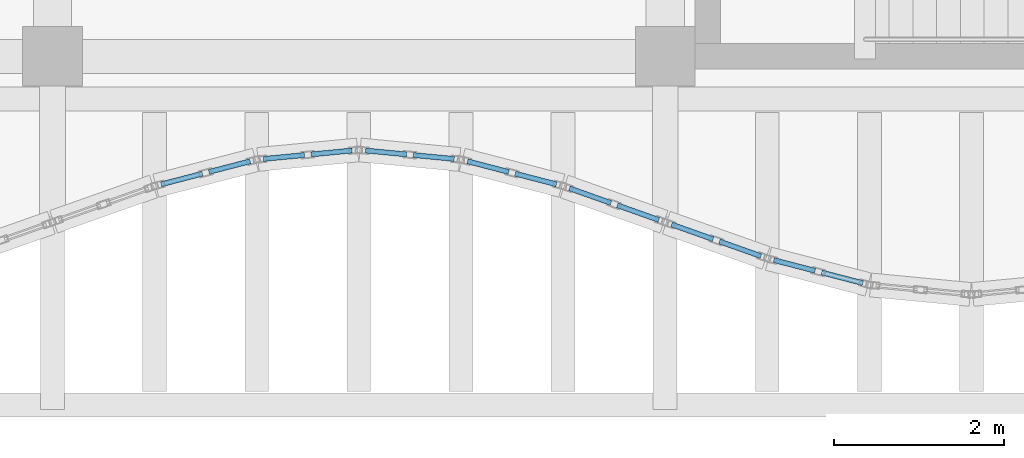
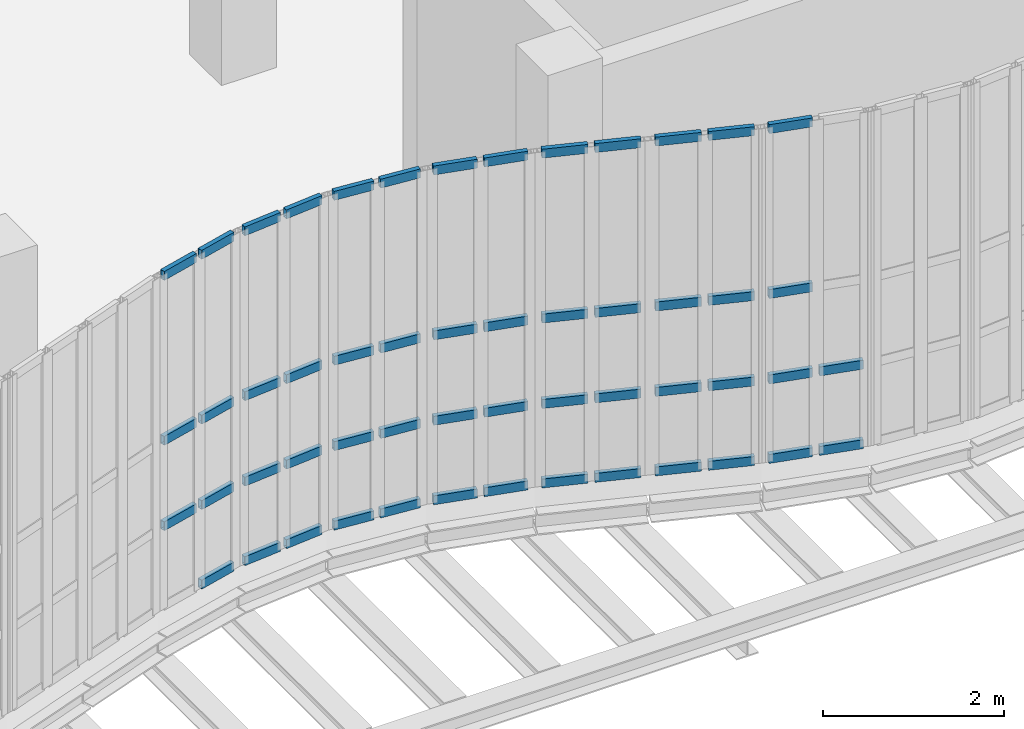
# One storey, part 49 of 108: 53 members, 7 elements without a shape of their own.
"""IFC4 building model written with IfcOpenShell, lengths in metres."""

from ifc_helpers import new_model, si_unit, direction, frame, origin, origin_2d, place, context, subcontext, project, spatial, hollow_rectangle, extrude, material, layer, layer_set, material_profile, profile_set, type_object, element, aggregate, save


model = new_model("IFC4")

# Units and contexts
model_context = context("Model", 3, precision=1e-05, world=origin(), true_north=direction((0.0, 1.0)))
body_context = subcontext(model_context, "Body", "Model", "MODEL_VIEW")
ifc_project = project(units=[si_unit("LENGTHUNIT", "METRE"), si_unit("AREAUNIT", "SQUARE_METRE"), si_unit("VOLUMEUNIT", "CUBIC_METRE"), si_unit("PLANEANGLEUNIT", "RADIAN"), si_unit("MASSUNIT", "GRAM", prefix="KILO"), si_unit("THERMODYNAMICTEMPERATUREUNIT", "KELVIN"), si_unit("POWERUNIT", "WATT")], contexts=[model_context])

# Site, building, storey
site_placement = place(None, origin())
site = spatial("IfcSite", under=ifc_project, at=site_placement, CompositionType="ELEMENT")
building_placement = place(site_placement, origin())
building = spatial("IfcBuilding", under=site, at=building_placement, Name="Kaldorven Railside Theatre", CompositionType="ELEMENT")
storey_placement = place(building_placement, frame((0.0, 0.0, 5.39990234375)))
storey = spatial("IfcBuildingStorey", under=building, at=storey_placement, Name="L01", CompositionType="ELEMENT", Elevation=5.39990234375)

# Curtain wall, members
ifc_material_1 = material(Name="Low-E laminated solar-control glass", Category="glass")
ifc_layer_1 = layer(ifc_material_1, 0.159912109375, Name="Low-E laminated solar-control glass")
ifc_layer_set_1 = layer_set([ifc_layer_1], Name="Low-E laminated solar-control glass")
curtain_wall_type_1 = type_object("IfcCurtainWallType", Name="CWT-02", PredefinedType="USERDEFINED", material=ifc_layer_set_1)
curtain_wall_1_placement = place(storey_placement, origin())
curtain_wall_1 = element("IfcCurtainWall", 1, at=curtain_wall_1_placement, inside=storey, type_object=curtain_wall_type_1, Name="Sinusoidal Fluted Curtain Wall CW-L01-S14", ObjectType="FLUTED GLAZING", PredefinedType="USERDEFINED")
ifc_material_2 = material(Name="Anodised bronze aluminium", Category="aluminium")
ifc_material_profile = material_profile(ifc_material_2, hollow_rectangle(XDim=0.06005859375, YDim=0.1201171875, WallThickness=0.0048828125, at=origin_2d()), Name="RHS 120x60x5")
ifc_profile_set = profile_set([ifc_material_profile], Name="Anodised bronze aluminium")
member_type = type_object("IfcMemberType", Name="CWT-120", PredefinedType="USERDEFINED", material=ifc_profile_set)
member_1_placement = place(storey_placement, frame((52.4775390625, 17.695068359375, 1.10009765625), z_axis=(0.967948521016, 0.251148682384, 0.0), x_axis=(-0.251148682384, 0.967948521016, 0.0)))
member_1 = element("IfcMember", 2, at=member_1_placement, type_object=member_type, Name="CW-L01-S14 transom 1.2", ObjectType="TRANSOM", PredefinedType="USERDEFINED", context=body_context, shape_type="SweptSolid", body=[
    extrude(hollow_rectangle(XDim=0.06005859375, YDim=0.1201171875, WallThickness=0.0048828125, at=origin_2d()), origin(), (0.0, 0.0, 1.0), 0.499755859375),
])
member_2_placement = place(storey_placement, frame((52.4775390625, 17.695068359375, 2.25), z_axis=(0.967948521016, 0.251148682384, 0.0), x_axis=(-0.251148682384, 0.967948521016, 0.0)))
member_2 = element("IfcMember", 3, at=member_2_placement, type_object=member_type, Name="CW-L01-S14 transom 1.3", ObjectType="TRANSOM", PredefinedType="USERDEFINED", context=body_context, shape_type="SweptSolid", body=[
    extrude(hollow_rectangle(XDim=0.06005859375, YDim=0.1201171875, WallThickness=0.0048828125, at=origin_2d()), origin(), (0.0, 0.0, 1.0), 0.499755859375),
])
member_3_placement = place(storey_placement, frame((52.4775390625, 17.695068359375, 4.47021484375), z_axis=(0.967948521016, 0.251148682384, 0.0), x_axis=(-0.251148682384, 0.967948521016, 0.0)))
member_3 = element("IfcMember", 4, at=member_3_placement, type_object=member_type, Name="CW-L01-S14 transom 1.4", ObjectType="TRANSOM", PredefinedType="USERDEFINED", context=body_context, shape_type="SweptSolid", body=[
    extrude(hollow_rectangle(XDim=0.06005859375, YDim=0.1201171875, WallThickness=0.0048828125, at=origin_2d()), origin(), (0.0, 0.0, 1.0), 0.499755859375),
])
member_4_placement = place(storey_placement, frame((53.038818359375, 17.840576171875, 0.030029296875), z_axis=(0.967948521016, 0.251148682384, 0.0), x_axis=(-0.251148682384, 0.967948521016, 0.0)))
member_4 = element("IfcMember", 5, at=member_4_placement, type_object=member_type, Name="CW-L01-S14 transom 2.1", ObjectType="TRANSOM", PredefinedType="USERDEFINED", context=body_context, shape_type="SweptSolid", body=[
    extrude(hollow_rectangle(XDim=0.06005859375, YDim=0.1201171875, WallThickness=0.0048828125, at=origin_2d()), origin(), (0.0, 0.0, 1.0), 0.499755859375),
])
member_5_placement = place(storey_placement, frame((53.038818359375, 17.840576171875, 1.10009765625), z_axis=(0.967948521016, 0.251148682384, 0.0), x_axis=(-0.251148682384, 0.967948521016, 0.0)))
member_5 = element("IfcMember", 6, at=member_5_placement, type_object=member_type, Name="CW-L01-S14 transom 2.2", ObjectType="TRANSOM", PredefinedType="USERDEFINED", context=body_context, shape_type="SweptSolid", body=[
    extrude(hollow_rectangle(XDim=0.06005859375, YDim=0.1201171875, WallThickness=0.0048828125, at=origin_2d()), origin(), (0.0, 0.0, 1.0), 0.499755859375),
])
member_6_placement = place(storey_placement, frame((53.038818359375, 17.840576171875, 2.25), z_axis=(0.967948521016, 0.251148682384, 0.0), x_axis=(-0.251148682384, 0.967948521016, 0.0)))
member_6 = element("IfcMember", 7, at=member_6_placement, type_object=member_type, Name="CW-L01-S14 transom 2.3", ObjectType="TRANSOM", PredefinedType="USERDEFINED", context=body_context, shape_type="SweptSolid", body=[
    extrude(hollow_rectangle(XDim=0.06005859375, YDim=0.1201171875, WallThickness=0.0048828125, at=origin_2d()), origin(), (0.0, 0.0, 1.0), 0.499755859375),
])
member_7_placement = place(storey_placement, frame((53.038818359375, 17.840576171875, 4.47021484375), z_axis=(0.967948521016, 0.251148682384, 0.0), x_axis=(-0.251148682384, 0.967948521016, 0.0)))
member_7 = element("IfcMember", 8, at=member_7_placement, type_object=member_type, Name="CW-L01-S14 transom 2.4", ObjectType="TRANSOM", PredefinedType="USERDEFINED", context=body_context, shape_type="SweptSolid", body=[
    extrude(hollow_rectangle(XDim=0.06005859375, YDim=0.1201171875, WallThickness=0.0048828125, at=origin_2d()), origin(), (0.0, 0.0, 1.0), 0.499755859375),
])
aggregate(curtain_wall_1, [member_1, member_2, member_3, member_4, member_5, member_6, member_7])

ifc_layer_2 = layer(ifc_material_1, 0.159912109375, Name="Low-E laminated solar-control glass")
ifc_layer_set_2 = layer_set([ifc_layer_2], Name="Low-E laminated solar-control glass")
curtain_wall_type_2 = type_object("IfcCurtainWallType", Name="CWT-03", PredefinedType="USERDEFINED", material=ifc_layer_set_2)
curtain_wall_2_placement = place(storey_placement, origin())
curtain_wall_2 = element("IfcCurtainWall", 9, at=curtain_wall_2_placement, inside=storey, type_object=curtain_wall_type_2, Name="Sinusoidal Fluted Curtain Wall CW-L01-S15", ObjectType="FLUTED GLAZING", PredefinedType="USERDEFINED")
member_8_placement = place(storey_placement, frame((53.6796875, 17.99365234375, 0.030029296875), z_axis=(0.995515910823, 0.094594245591, 0.0), x_axis=(-0.094594245591, 0.995515910823, 0.0)))
member_8 = element("IfcMember", 10, at=member_8_placement, type_object=member_type, Name="CW-L01-S15 transom 1.1", ObjectType="TRANSOM", PredefinedType="USERDEFINED", context=body_context, shape_type="SweptSolid", body=[
    extrude(hollow_rectangle(XDim=0.06005859375, YDim=0.1201171875, WallThickness=0.0048828125, at=origin_2d()), origin(), (0.0, 0.0, 1.0), 0.482666015625),
])
member_9_placement = place(storey_placement, frame((53.6796875, 17.99365234375, 1.10009765625), z_axis=(0.995515910823, 0.094594245591, 0.0), x_axis=(-0.094594245591, 0.995515910823, 0.0)))
member_9 = element("IfcMember", 11, at=member_9_placement, type_object=member_type, Name="CW-L01-S15 transom 1.2", ObjectType="TRANSOM", PredefinedType="USERDEFINED", context=body_context, shape_type="SweptSolid", body=[
    extrude(hollow_rectangle(XDim=0.06005859375, YDim=0.1201171875, WallThickness=0.0048828125, at=origin_2d()), origin(), (0.0, 0.0, 1.0), 0.482666015625),
])
member_10_placement = place(storey_placement, frame((53.6796875, 17.99365234375, 2.25), z_axis=(0.995515910823, 0.094594245591, 0.0), x_axis=(-0.094594245591, 0.995515910823, 0.0)))
member_10 = element("IfcMember", 12, at=member_10_placement, type_object=member_type, Name="CW-L01-S15 transom 1.3", ObjectType="TRANSOM", PredefinedType="USERDEFINED", context=body_context, shape_type="SweptSolid", body=[
    extrude(hollow_rectangle(XDim=0.06005859375, YDim=0.1201171875, WallThickness=0.0048828125, at=origin_2d()), origin(), (0.0, 0.0, 1.0), 0.482666015625),
])
member_11_placement = place(storey_placement, frame((53.6796875, 17.99365234375, 4.47021484375), z_axis=(0.995515910823, 0.094594245591, 0.0), x_axis=(-0.094594245591, 0.995515910823, 0.0)))
member_11 = element("IfcMember", 13, at=member_11_placement, type_object=member_type, Name="CW-L01-S15 transom 1.4", ObjectType="TRANSOM", PredefinedType="USERDEFINED", context=body_context, shape_type="SweptSolid", body=[
    extrude(hollow_rectangle(XDim=0.06005859375, YDim=0.1201171875, WallThickness=0.0048828125, at=origin_2d()), origin(), (0.0, 0.0, 1.0), 0.482666015625),
])
member_12_placement = place(storey_placement, frame((54.23974609375, 18.046875, 0.030029296875), z_axis=(0.995520433802, 0.094546633378, 0.0), x_axis=(-0.094546633378, 0.995520433802, 0.0)))
member_12 = element("IfcMember", 14, at=member_12_placement, type_object=member_type, Name="CW-L01-S15 transom 2.1", ObjectType="TRANSOM", PredefinedType="USERDEFINED", context=body_context, shape_type="SweptSolid", body=[
    extrude(hollow_rectangle(XDim=0.06005859375, YDim=0.1201171875, WallThickness=0.0048828125, at=origin_2d()), origin(), (0.0, 0.0, 1.0), 0.48291015625),
])
member_13_placement = place(storey_placement, frame((54.23974609375, 18.046875, 1.10009765625), z_axis=(0.995520433802, 0.094546633378, 0.0), x_axis=(-0.094546633378, 0.995520433802, 0.0)))
member_13 = element("IfcMember", 15, at=member_13_placement, type_object=member_type, Name="CW-L01-S15 transom 2.2", ObjectType="TRANSOM", PredefinedType="USERDEFINED", context=body_context, shape_type="SweptSolid", body=[
    extrude(hollow_rectangle(XDim=0.06005859375, YDim=0.1201171875, WallThickness=0.0048828125, at=origin_2d()), origin(), (0.0, 0.0, 1.0), 0.48291015625),
])
member_14_placement = place(storey_placement, frame((54.23974609375, 18.046875, 2.25), z_axis=(0.995520433802, 0.094546633378, 0.0), x_axis=(-0.094546633378, 0.995520433802, 0.0)))
member_14 = element("IfcMember", 16, at=member_14_placement, type_object=member_type, Name="CW-L01-S15 transom 2.3", ObjectType="TRANSOM", PredefinedType="USERDEFINED", context=body_context, shape_type="SweptSolid", body=[
    extrude(hollow_rectangle(XDim=0.06005859375, YDim=0.1201171875, WallThickness=0.0048828125, at=origin_2d()), origin(), (0.0, 0.0, 1.0), 0.48291015625),
])
member_15_placement = place(storey_placement, frame((54.23974609375, 18.046875, 4.47021484375), z_axis=(0.995520433802, 0.094546633378, 0.0), x_axis=(-0.094546633378, 0.995520433802, 0.0)))
member_15 = element("IfcMember", 17, at=member_15_placement, type_object=member_type, Name="CW-L01-S15 transom 2.4", ObjectType="TRANSOM", PredefinedType="USERDEFINED", context=body_context, shape_type="SweptSolid", body=[
    extrude(hollow_rectangle(XDim=0.06005859375, YDim=0.1201171875, WallThickness=0.0048828125, at=origin_2d()), origin(), (0.0, 0.0, 1.0), 0.48291015625),
])
aggregate(curtain_wall_2, [member_8, member_9, member_10, member_11, member_12, member_13, member_14, member_15])

curtain_wall_3_placement = place(storey_placement, origin())
curtain_wall_3 = element("IfcCurtainWall", 18, at=curtain_wall_3_placement, inside=storey, type_object=curtain_wall_type_2, Name="Sinusoidal Fluted Curtain Wall CW-L01-S16", ObjectType="FLUTED GLAZING", PredefinedType="USERDEFINED")
member_16_placement = place(storey_placement, frame((54.879638671875, 18.092529296875, 0.030029296875), z_axis=(0.995515910823, -0.094594245591, 0.0), x_axis=(0.094594245591, 0.995515910823, 0.0)))
member_16 = element("IfcMember", 19, at=member_16_placement, type_object=member_type, Name="CW-L01-S16 transom 1.1", ObjectType="TRANSOM", PredefinedType="USERDEFINED", context=body_context, shape_type="SweptSolid", body=[
    extrude(hollow_rectangle(XDim=0.06005859375, YDim=0.1201171875, WallThickness=0.0048828125, at=origin_2d()), origin(), (0.0, 0.0, 1.0), 0.482666015625),
])
member_17_placement = place(storey_placement, frame((54.879638671875, 18.092529296875, 1.10009765625), z_axis=(0.995515910823, -0.094594245591, 0.0), x_axis=(0.094594245591, 0.995515910823, 0.0)))
member_17 = element("IfcMember", 20, at=member_17_placement, type_object=member_type, Name="CW-L01-S16 transom 1.2", ObjectType="TRANSOM", PredefinedType="USERDEFINED", context=body_context, shape_type="SweptSolid", body=[
    extrude(hollow_rectangle(XDim=0.06005859375, YDim=0.1201171875, WallThickness=0.0048828125, at=origin_2d()), origin(), (0.0, 0.0, 1.0), 0.482666015625),
])
member_18_placement = place(storey_placement, frame((54.879638671875, 18.092529296875, 2.25), z_axis=(0.995515910823, -0.094594245591, 0.0), x_axis=(0.094594245591, 0.995515910823, 0.0)))
member_18 = element("IfcMember", 21, at=member_18_placement, type_object=member_type, Name="CW-L01-S16 transom 1.3", ObjectType="TRANSOM", PredefinedType="USERDEFINED", context=body_context, shape_type="SweptSolid", body=[
    extrude(hollow_rectangle(XDim=0.06005859375, YDim=0.1201171875, WallThickness=0.0048828125, at=origin_2d()), origin(), (0.0, 0.0, 1.0), 0.482666015625),
])
member_19_placement = place(storey_placement, frame((54.879638671875, 18.092529296875, 4.47021484375), z_axis=(0.995515910823, -0.094594245591, 0.0), x_axis=(0.094594245591, 0.995515910823, 0.0)))
member_19 = element("IfcMember", 22, at=member_19_placement, type_object=member_type, Name="CW-L01-S16 transom 1.4", ObjectType="TRANSOM", PredefinedType="USERDEFINED", context=body_context, shape_type="SweptSolid", body=[
    extrude(hollow_rectangle(XDim=0.06005859375, YDim=0.1201171875, WallThickness=0.0048828125, at=origin_2d()), origin(), (0.0, 0.0, 1.0), 0.482666015625),
])
member_20_placement = place(storey_placement, frame((55.43994140625, 18.039306640625, 0.030029296875), z_axis=(0.995515910823, -0.094594245591, 0.0), x_axis=(0.094594245591, 0.995515910823, 0.0)))
member_20 = element("IfcMember", 23, at=member_20_placement, type_object=member_type, Name="CW-L01-S16 transom 2.1", ObjectType="TRANSOM", PredefinedType="USERDEFINED", context=body_context, shape_type="SweptSolid", body=[
    extrude(hollow_rectangle(XDim=0.06005859375, YDim=0.1201171875, WallThickness=0.0048828125, at=origin_2d()), origin(), (0.0, 0.0, 1.0), 0.482666015625),
])
member_21_placement = place(storey_placement, frame((55.43994140625, 18.039306640625, 1.10009765625), z_axis=(0.995515910823, -0.094594245591, 0.0), x_axis=(0.094594245591, 0.995515910823, 0.0)))
member_21 = element("IfcMember", 24, at=member_21_placement, type_object=member_type, Name="CW-L01-S16 transom 2.2", ObjectType="TRANSOM", PredefinedType="USERDEFINED", context=body_context, shape_type="SweptSolid", body=[
    extrude(hollow_rectangle(XDim=0.06005859375, YDim=0.1201171875, WallThickness=0.0048828125, at=origin_2d()), origin(), (0.0, 0.0, 1.0), 0.482666015625),
])
member_22_placement = place(storey_placement, frame((55.43994140625, 18.039306640625, 2.25), z_axis=(0.995515910823, -0.094594245591, 0.0), x_axis=(0.094594245591, 0.995515910823, 0.0)))
member_22 = element("IfcMember", 25, at=member_22_placement, type_object=member_type, Name="CW-L01-S16 transom 2.3", ObjectType="TRANSOM", PredefinedType="USERDEFINED", context=body_context, shape_type="SweptSolid", body=[
    extrude(hollow_rectangle(XDim=0.06005859375, YDim=0.1201171875, WallThickness=0.0048828125, at=origin_2d()), origin(), (0.0, 0.0, 1.0), 0.482666015625),
])
member_23_placement = place(storey_placement, frame((55.43994140625, 18.039306640625, 4.47021484375), z_axis=(0.995515910823, -0.094594245591, 0.0), x_axis=(0.094594245591, 0.995515910823, 0.0)))
member_23 = element("IfcMember", 26, at=member_23_placement, type_object=member_type, Name="CW-L01-S16 transom 2.4", ObjectType="TRANSOM", PredefinedType="USERDEFINED", context=body_context, shape_type="SweptSolid", body=[
    extrude(hollow_rectangle(XDim=0.06005859375, YDim=0.1201171875, WallThickness=0.0048828125, at=origin_2d()), origin(), (0.0, 0.0, 1.0), 0.482666015625),
])
aggregate(curtain_wall_3, [member_16, member_17, member_18, member_19, member_20, member_21, member_22, member_23])

curtain_wall_4_placement = place(storey_placement, origin())
curtain_wall_4 = element("IfcCurtainWall", 27, at=curtain_wall_4_placement, inside=storey, type_object=curtain_wall_type_1, Name="Sinusoidal Fluted Curtain Wall CW-L01-S17", ObjectType="FLUTED GLAZING", PredefinedType="USERDEFINED")
member_24_placement = place(storey_placement, frame((56.077392578125, 17.966064453125, 0.030029296875), z_axis=(0.967979318949, -0.251029954561, 0.0), x_axis=(0.251029954561, 0.967979318949, 0.0)))
member_24 = element("IfcMember", 28, at=member_24_placement, type_object=member_type, Name="CW-L01-S17 transom 1.1", ObjectType="TRANSOM", PredefinedType="USERDEFINED", context=body_context, shape_type="SweptSolid", body=[
    extrude(hollow_rectangle(XDim=0.06005859375, YDim=0.1201171875, WallThickness=0.0048828125, at=origin_2d()), origin(), (0.0, 0.0, 1.0), 0.5),
])
member_25_placement = place(storey_placement, frame((56.077392578125, 17.966064453125, 1.10009765625), z_axis=(0.967979318949, -0.251029954561, 0.0), x_axis=(0.251029954561, 0.967979318949, 0.0)))
member_25 = element("IfcMember", 29, at=member_25_placement, type_object=member_type, Name="CW-L01-S17 transom 1.2", ObjectType="TRANSOM", PredefinedType="USERDEFINED", context=body_context, shape_type="SweptSolid", body=[
    extrude(hollow_rectangle(XDim=0.06005859375, YDim=0.1201171875, WallThickness=0.0048828125, at=origin_2d()), origin(), (0.0, 0.0, 1.0), 0.5),
])
member_26_placement = place(storey_placement, frame((56.077392578125, 17.966064453125, 2.25), z_axis=(0.967979318949, -0.251029954561, 0.0), x_axis=(0.251029954561, 0.967979318949, 0.0)))
member_26 = element("IfcMember", 30, at=member_26_placement, type_object=member_type, Name="CW-L01-S17 transom 1.3", ObjectType="TRANSOM", PredefinedType="USERDEFINED", context=body_context, shape_type="SweptSolid", body=[
    extrude(hollow_rectangle(XDim=0.06005859375, YDim=0.1201171875, WallThickness=0.0048828125, at=origin_2d()), origin(), (0.0, 0.0, 1.0), 0.5),
])
member_27_placement = place(storey_placement, frame((56.077392578125, 17.966064453125, 4.47021484375), z_axis=(0.967979318949, -0.251029954561, 0.0), x_axis=(0.251029954561, 0.967979318949, 0.0)))
member_27 = element("IfcMember", 31, at=member_27_placement, type_object=member_type, Name="CW-L01-S17 transom 1.4", ObjectType="TRANSOM", PredefinedType="USERDEFINED", context=body_context, shape_type="SweptSolid", body=[
    extrude(hollow_rectangle(XDim=0.06005859375, YDim=0.1201171875, WallThickness=0.0048828125, at=origin_2d()), origin(), (0.0, 0.0, 1.0), 0.5),
])
member_28_placement = place(storey_placement, frame((56.638671875, 17.820556640625, 0.030029296875), z_axis=(0.967979318949, -0.251029954561, 0.0), x_axis=(0.251029954561, 0.967979318949, 0.0)))
member_28 = element("IfcMember", 32, at=member_28_placement, type_object=member_type, Name="CW-L01-S17 transom 2.1", ObjectType="TRANSOM", PredefinedType="USERDEFINED", context=body_context, shape_type="SweptSolid", body=[
    extrude(hollow_rectangle(XDim=0.06005859375, YDim=0.1201171875, WallThickness=0.0048828125, at=origin_2d()), origin(), (0.0, 0.0, 1.0), 0.5),
])
member_29_placement = place(storey_placement, frame((56.638671875, 17.820556640625, 1.10009765625), z_axis=(0.967979318949, -0.251029954561, 0.0), x_axis=(0.251029954561, 0.967979318949, 0.0)))
member_29 = element("IfcMember", 33, at=member_29_placement, type_object=member_type, Name="CW-L01-S17 transom 2.2", ObjectType="TRANSOM", PredefinedType="USERDEFINED", context=body_context, shape_type="SweptSolid", body=[
    extrude(hollow_rectangle(XDim=0.06005859375, YDim=0.1201171875, WallThickness=0.0048828125, at=origin_2d()), origin(), (0.0, 0.0, 1.0), 0.5),
])
member_30_placement = place(storey_placement, frame((56.638671875, 17.820556640625, 2.25), z_axis=(0.967979318949, -0.251029954561, 0.0), x_axis=(0.251029954561, 0.967979318949, 0.0)))
member_30 = element("IfcMember", 34, at=member_30_placement, type_object=member_type, Name="CW-L01-S17 transom 2.3", ObjectType="TRANSOM", PredefinedType="USERDEFINED", context=body_context, shape_type="SweptSolid", body=[
    extrude(hollow_rectangle(XDim=0.06005859375, YDim=0.1201171875, WallThickness=0.0048828125, at=origin_2d()), origin(), (0.0, 0.0, 1.0), 0.5),
])
member_31_placement = place(storey_placement, frame((56.638671875, 17.820556640625, 4.47021484375), z_axis=(0.967979318949, -0.251029954561, 0.0), x_axis=(0.251029954561, 0.967979318949, 0.0)))
member_31 = element("IfcMember", 35, at=member_31_placement, type_object=member_type, Name="CW-L01-S17 transom 2.4", ObjectType="TRANSOM", PredefinedType="USERDEFINED", context=body_context, shape_type="SweptSolid", body=[
    extrude(hollow_rectangle(XDim=0.06005859375, YDim=0.1201171875, WallThickness=0.0048828125, at=origin_2d()), origin(), (0.0, 0.0, 1.0), 0.5),
])
aggregate(curtain_wall_4, [member_24, member_25, member_26, member_27, member_28, member_29, member_30, member_31])

ifc_layer_3 = layer(ifc_material_1, 0.159912109375, Name="Low-E laminated solar-control glass")
ifc_layer_set_3 = layer_set([ifc_layer_3], Name="Low-E laminated solar-control glass")
curtain_wall_type_3 = type_object("IfcCurtainWallType", Name="CWT-01", PredefinedType="USERDEFINED", material=ifc_layer_set_3)
curtain_wall_5_placement = place(storey_placement, origin())
curtain_wall_5 = element("IfcCurtainWall", 36, at=curtain_wall_5_placement, inside=storey, type_object=curtain_wall_type_3, Name="Sinusoidal Fluted Curtain Wall CW-L01-S18", ObjectType="FLUTED GLAZING", PredefinedType="USERDEFINED")
member_32_placement = place(storey_placement, frame((57.275390625, 17.648193359375, 0.030029296875), z_axis=(0.942658214948, -0.333759628763, 0.0), x_axis=(0.333759628763, 0.942658214948, 0.0)))
member_32 = element("IfcMember", 37, at=member_32_placement, type_object=member_type, Name="CW-L01-S18 transom 1.1", ObjectType="TRANSOM", PredefinedType="USERDEFINED", context=body_context, shape_type="SweptSolid", body=[
    extrude(hollow_rectangle(XDim=0.06005859375, YDim=0.1201171875, WallThickness=0.0048828125, at=origin_2d()), origin(), (0.0, 0.0, 1.0), 0.516357421875),
])
member_33_placement = place(storey_placement, frame((57.275390625, 17.648193359375, 1.10009765625), z_axis=(0.942658214948, -0.333759628763, 0.0), x_axis=(0.333759628763, 0.942658214948, 0.0)))
member_33 = element("IfcMember", 38, at=member_33_placement, type_object=member_type, Name="CW-L01-S18 transom 1.2", ObjectType="TRANSOM", PredefinedType="USERDEFINED", context=body_context, shape_type="SweptSolid", body=[
    extrude(hollow_rectangle(XDim=0.06005859375, YDim=0.1201171875, WallThickness=0.0048828125, at=origin_2d()), origin(), (0.0, 0.0, 1.0), 0.516357421875),
])
member_34_placement = place(storey_placement, frame((57.275390625, 17.648193359375, 2.25), z_axis=(0.942658214948, -0.333759628763, 0.0), x_axis=(0.333759628763, 0.942658214948, 0.0)))
member_34 = element("IfcMember", 39, at=member_34_placement, type_object=member_type, Name="CW-L01-S18 transom 1.3", ObjectType="TRANSOM", PredefinedType="USERDEFINED", context=body_context, shape_type="SweptSolid", body=[
    extrude(hollow_rectangle(XDim=0.06005859375, YDim=0.1201171875, WallThickness=0.0048828125, at=origin_2d()), origin(), (0.0, 0.0, 1.0), 0.516357421875),
])
member_35_placement = place(storey_placement, frame((57.275390625, 17.648193359375, 4.47021484375), z_axis=(0.942658214948, -0.333759628763, 0.0), x_axis=(0.333759628763, 0.942658214948, 0.0)))
member_35 = element("IfcMember", 40, at=member_35_placement, type_object=member_type, Name="CW-L01-S18 transom 1.4", ObjectType="TRANSOM", PredefinedType="USERDEFINED", context=body_context, shape_type="SweptSolid", body=[
    extrude(hollow_rectangle(XDim=0.06005859375, YDim=0.1201171875, WallThickness=0.0048828125, at=origin_2d()), origin(), (0.0, 0.0, 1.0), 0.516357421875),
])
member_36_placement = place(storey_placement, frame((57.837646484375, 17.44921875, 0.030029296875), z_axis=(0.94256215944, -0.334030800363, 0.0), x_axis=(0.334030800363, 0.94256215944, 0.0)))
member_36 = element("IfcMember", 41, at=member_36_placement, type_object=member_type, Name="CW-L01-S18 transom 2.1", ObjectType="TRANSOM", PredefinedType="USERDEFINED", context=body_context, shape_type="SweptSolid", body=[
    extrude(hollow_rectangle(XDim=0.06005859375, YDim=0.1201171875, WallThickness=0.0048828125, at=origin_2d()), origin(), (0.0, 0.0, 1.0), 0.516845703125),
])
member_37_placement = place(storey_placement, frame((57.837646484375, 17.44921875, 1.10009765625), z_axis=(0.94256215944, -0.334030800363, 0.0), x_axis=(0.334030800363, 0.94256215944, 0.0)))
member_37 = element("IfcMember", 42, at=member_37_placement, type_object=member_type, Name="CW-L01-S18 transom 2.2", ObjectType="TRANSOM", PredefinedType="USERDEFINED", context=body_context, shape_type="SweptSolid", body=[
    extrude(hollow_rectangle(XDim=0.06005859375, YDim=0.1201171875, WallThickness=0.0048828125, at=origin_2d()), origin(), (0.0, 0.0, 1.0), 0.516845703125),
])
member_38_placement = place(storey_placement, frame((57.837646484375, 17.44921875, 2.25), z_axis=(0.94256215944, -0.334030800363, 0.0), x_axis=(0.334030800363, 0.94256215944, 0.0)))
member_38 = element("IfcMember", 43, at=member_38_placement, type_object=member_type, Name="CW-L01-S18 transom 2.3", ObjectType="TRANSOM", PredefinedType="USERDEFINED", context=body_context, shape_type="SweptSolid", body=[
    extrude(hollow_rectangle(XDim=0.06005859375, YDim=0.1201171875, WallThickness=0.0048828125, at=origin_2d()), origin(), (0.0, 0.0, 1.0), 0.516845703125),
])
member_39_placement = place(storey_placement, frame((57.837646484375, 17.44921875, 4.47021484375), z_axis=(0.94256215944, -0.334030800363, 0.0), x_axis=(0.334030800363, 0.94256215944, 0.0)))
member_39 = element("IfcMember", 44, at=member_39_placement, type_object=member_type, Name="CW-L01-S18 transom 2.4", ObjectType="TRANSOM", PredefinedType="USERDEFINED", context=body_context, shape_type="SweptSolid", body=[
    extrude(hollow_rectangle(XDim=0.06005859375, YDim=0.1201171875, WallThickness=0.0048828125, at=origin_2d()), origin(), (0.0, 0.0, 1.0), 0.516845703125),
])
aggregate(curtain_wall_5, [member_32, member_33, member_34, member_35, member_36, member_37, member_38, member_39])

curtain_wall_6_placement = place(storey_placement, origin())
curtain_wall_6 = element("IfcCurtainWall", 45, at=curtain_wall_6_placement, inside=storey, type_object=curtain_wall_type_3, Name="Sinusoidal Fluted Curtain Wall CW-L01-S19", ObjectType="FLUTED GLAZING", PredefinedType="USERDEFINED")
member_40_placement = place(storey_placement, frame((58.475341796875, 17.223388671875, 0.030029296875), z_axis=(0.94256215944, -0.334030800363, 0.0), x_axis=(0.334030800363, 0.94256215944, 0.0)))
member_40 = element("IfcMember", 46, at=member_40_placement, type_object=member_type, Name="CW-L01-S19 transom 1.1", ObjectType="TRANSOM", PredefinedType="USERDEFINED", context=body_context, shape_type="SweptSolid", body=[
    extrude(hollow_rectangle(XDim=0.06005859375, YDim=0.1201171875, WallThickness=0.0048828125, at=origin_2d()), origin(), (0.0, 0.0, 1.0), 0.516845703125),
])
member_41_placement = place(storey_placement, frame((58.475341796875, 17.223388671875, 1.10009765625), z_axis=(0.94256215944, -0.334030800363, 0.0), x_axis=(0.334030800363, 0.94256215944, 0.0)))
member_41 = element("IfcMember", 47, at=member_41_placement, type_object=member_type, Name="CW-L01-S19 transom 1.2", ObjectType="TRANSOM", PredefinedType="USERDEFINED", context=body_context, shape_type="SweptSolid", body=[
    extrude(hollow_rectangle(XDim=0.06005859375, YDim=0.1201171875, WallThickness=0.0048828125, at=origin_2d()), origin(), (0.0, 0.0, 1.0), 0.516845703125),
])
member_42_placement = place(storey_placement, frame((58.475341796875, 17.223388671875, 2.25), z_axis=(0.94256215944, -0.334030800363, 0.0), x_axis=(0.334030800363, 0.94256215944, 0.0)))
member_42 = element("IfcMember", 48, at=member_42_placement, type_object=member_type, Name="CW-L01-S19 transom 1.3", ObjectType="TRANSOM", PredefinedType="USERDEFINED", context=body_context, shape_type="SweptSolid", body=[
    extrude(hollow_rectangle(XDim=0.06005859375, YDim=0.1201171875, WallThickness=0.0048828125, at=origin_2d()), origin(), (0.0, 0.0, 1.0), 0.516845703125),
])
member_43_placement = place(storey_placement, frame((58.475341796875, 17.223388671875, 4.47021484375), z_axis=(0.94256215944, -0.334030800363, 0.0), x_axis=(0.334030800363, 0.94256215944, 0.0)))
member_43 = element("IfcMember", 49, at=member_43_placement, type_object=member_type, Name="CW-L01-S19 transom 1.4", ObjectType="TRANSOM", PredefinedType="USERDEFINED", context=body_context, shape_type="SweptSolid", body=[
    extrude(hollow_rectangle(XDim=0.06005859375, YDim=0.1201171875, WallThickness=0.0048828125, at=origin_2d()), origin(), (0.0, 0.0, 1.0), 0.516845703125),
])
member_44_placement = place(storey_placement, frame((59.03759765625, 17.024169921875, 0.030029296875), z_axis=(0.942710841688, -0.333610954502, 0.0), x_axis=(0.333610954502, 0.942710841688, 0.0)))
member_44 = element("IfcMember", 50, at=member_44_placement, type_object=member_type, Name="CW-L01-S19 transom 2.1", ObjectType="TRANSOM", PredefinedType="USERDEFINED", context=body_context, shape_type="SweptSolid", body=[
    extrude(hollow_rectangle(XDim=0.06005859375, YDim=0.1201171875, WallThickness=0.0048828125, at=origin_2d()), origin(), (0.0, 0.0, 1.0), 0.5166015625),
])
member_45_placement = place(storey_placement, frame((59.03759765625, 17.024169921875, 1.10009765625), z_axis=(0.942710841688, -0.333610954502, 0.0), x_axis=(0.333610954502, 0.942710841688, 0.0)))
member_45 = element("IfcMember", 51, at=member_45_placement, type_object=member_type, Name="CW-L01-S19 transom 2.2", ObjectType="TRANSOM", PredefinedType="USERDEFINED", context=body_context, shape_type="SweptSolid", body=[
    extrude(hollow_rectangle(XDim=0.06005859375, YDim=0.1201171875, WallThickness=0.0048828125, at=origin_2d()), origin(), (0.0, 0.0, 1.0), 0.5166015625),
])
member_46_placement = place(storey_placement, frame((59.03759765625, 17.024169921875, 2.25), z_axis=(0.942710841688, -0.333610954502, 0.0), x_axis=(0.333610954502, 0.942710841688, 0.0)))
member_46 = element("IfcMember", 52, at=member_46_placement, type_object=member_type, Name="CW-L01-S19 transom 2.3", ObjectType="TRANSOM", PredefinedType="USERDEFINED", context=body_context, shape_type="SweptSolid", body=[
    extrude(hollow_rectangle(XDim=0.06005859375, YDim=0.1201171875, WallThickness=0.0048828125, at=origin_2d()), origin(), (0.0, 0.0, 1.0), 0.5166015625),
])
member_47_placement = place(storey_placement, frame((59.03759765625, 17.024169921875, 4.47021484375), z_axis=(0.942710841688, -0.333610954502, 0.0), x_axis=(0.333610954502, 0.942710841688, 0.0)))
member_47 = element("IfcMember", 53, at=member_47_placement, type_object=member_type, Name="CW-L01-S19 transom 2.4", ObjectType="TRANSOM", PredefinedType="USERDEFINED", context=body_context, shape_type="SweptSolid", body=[
    extrude(hollow_rectangle(XDim=0.06005859375, YDim=0.1201171875, WallThickness=0.0048828125, at=origin_2d()), origin(), (0.0, 0.0, 1.0), 0.5166015625),
])
aggregate(curtain_wall_6, [member_40, member_41, member_42, member_43, member_44, member_45, member_46, member_47])

curtain_wall_7_placement = place(storey_placement, origin())
curtain_wall_7 = element("IfcCurtainWall", 54, at=curtain_wall_7_placement, inside=storey, type_object=curtain_wall_type_1, Name="Sinusoidal Fluted Curtain Wall CW-L01-S20", ObjectType="FLUTED GLAZING", PredefinedType="USERDEFINED")
member_48_placement = place(storey_placement, frame((59.677490234375, 16.804931640625, 0.030029296875), z_axis=(0.967979318949, -0.251029954561, 0.0), x_axis=(0.251029954561, 0.967979318949, 0.0)))
member_48 = element("IfcMember", 55, at=member_48_placement, type_object=member_type, Name="CW-L01-S20 transom 1.1", ObjectType="TRANSOM", PredefinedType="USERDEFINED", context=body_context, shape_type="SweptSolid", body=[
    extrude(hollow_rectangle(XDim=0.06005859375, YDim=0.1201171875, WallThickness=0.0048828125, at=origin_2d()), origin(), (0.0, 0.0, 1.0), 0.5),
])
member_49_placement = place(storey_placement, frame((59.677490234375, 16.804931640625, 1.10009765625), z_axis=(0.967979318949, -0.251029954561, 0.0), x_axis=(0.251029954561, 0.967979318949, 0.0)))
member_49 = element("IfcMember", 56, at=member_49_placement, type_object=member_type, Name="CW-L01-S20 transom 1.2", ObjectType="TRANSOM", PredefinedType="USERDEFINED", context=body_context, shape_type="SweptSolid", body=[
    extrude(hollow_rectangle(XDim=0.06005859375, YDim=0.1201171875, WallThickness=0.0048828125, at=origin_2d()), origin(), (0.0, 0.0, 1.0), 0.5),
])
member_50_placement = place(storey_placement, frame((59.677490234375, 16.804931640625, 2.25), z_axis=(0.967979318949, -0.251029954561, 0.0), x_axis=(0.251029954561, 0.967979318949, 0.0)))
member_50 = element("IfcMember", 57, at=member_50_placement, type_object=member_type, Name="CW-L01-S20 transom 1.3", ObjectType="TRANSOM", PredefinedType="USERDEFINED", context=body_context, shape_type="SweptSolid", body=[
    extrude(hollow_rectangle(XDim=0.06005859375, YDim=0.1201171875, WallThickness=0.0048828125, at=origin_2d()), origin(), (0.0, 0.0, 1.0), 0.5),
])
member_51_placement = place(storey_placement, frame((59.677490234375, 16.804931640625, 4.47021484375), z_axis=(0.967979318949, -0.251029954561, 0.0), x_axis=(0.251029954561, 0.967979318949, 0.0)))
member_51 = element("IfcMember", 58, at=member_51_placement, type_object=member_type, Name="CW-L01-S20 transom 1.4", ObjectType="TRANSOM", PredefinedType="USERDEFINED", context=body_context, shape_type="SweptSolid", body=[
    extrude(hollow_rectangle(XDim=0.06005859375, YDim=0.1201171875, WallThickness=0.0048828125, at=origin_2d()), origin(), (0.0, 0.0, 1.0), 0.5),
])
member_52_placement = place(storey_placement, frame((60.23876953125, 16.659423828125, 0.030029296875), z_axis=(0.967979318949, -0.251029954561, 0.0), x_axis=(0.251029954561, 0.967979318949, 0.0)))
member_52 = element("IfcMember", 59, at=member_52_placement, type_object=member_type, Name="CW-L01-S20 transom 2.1", ObjectType="TRANSOM", PredefinedType="USERDEFINED", context=body_context, shape_type="SweptSolid", body=[
    extrude(hollow_rectangle(XDim=0.06005859375, YDim=0.1201171875, WallThickness=0.0048828125, at=origin_2d()), origin(), (0.0, 0.0, 1.0), 0.5),
])
member_53_placement = place(storey_placement, frame((60.23876953125, 16.659423828125, 1.10009765625), z_axis=(0.967979318949, -0.251029954561, 0.0), x_axis=(0.251029954561, 0.967979318949, 0.0)))
member_53 = element("IfcMember", 60, at=member_53_placement, type_object=member_type, Name="CW-L01-S20 transom 2.2", ObjectType="TRANSOM", PredefinedType="USERDEFINED", context=body_context, shape_type="SweptSolid", body=[
    extrude(hollow_rectangle(XDim=0.06005859375, YDim=0.1201171875, WallThickness=0.0048828125, at=origin_2d()), origin(), (0.0, 0.0, 1.0), 0.5),
])
aggregate(curtain_wall_7, [member_48, member_49, member_50, member_51, member_52, member_53])

save(model, "model.ifc")
